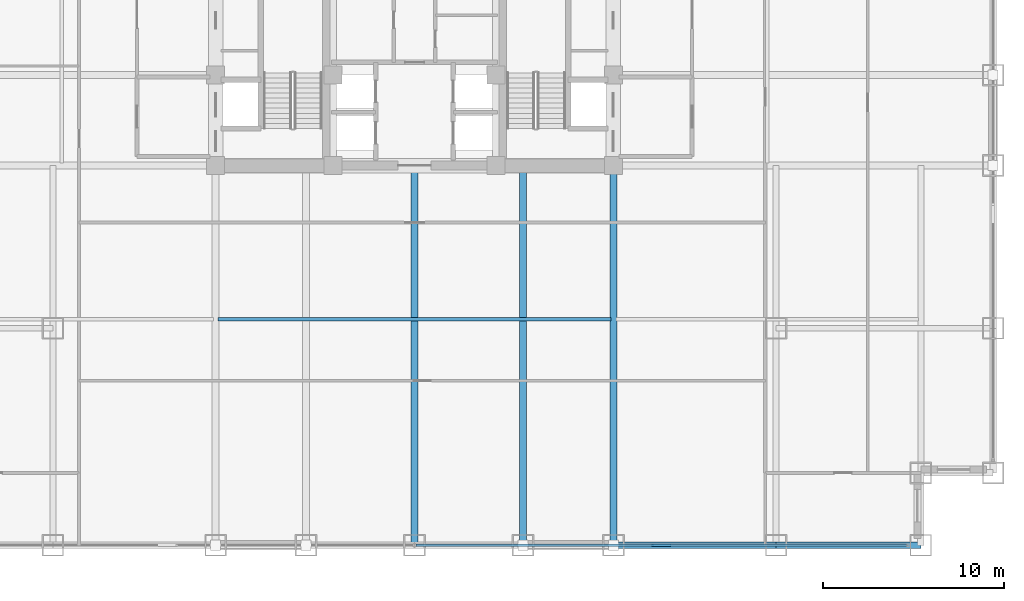
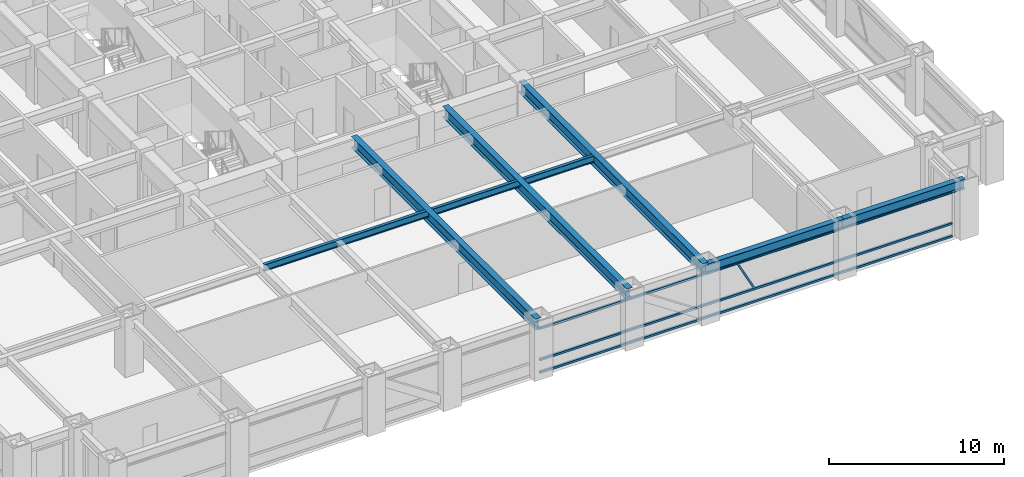
# One storey, part 5 of 28: 6 beams, 4 members, 1 element without a shape of its own.
"""IFC4 building model written with IfcOpenShell, lengths in metres."""

from ifc_helpers import new_model, si_unit, direction, frame, origin, origin_2d, place, context, subcontext, project, spatial, hollow_rectangle, i_section, extrude, source, transform, mapped, material, material_profile, profile_set, type_object, element, aggregate, save


model = new_model("IFC4")

# Units and contexts
model_context = context("Model", 3, precision=1e-05, world=origin(), true_north=direction((0.0, 1.0)))
body_context = subcontext(model_context, "Body", "Model", "MODEL_VIEW")
ifc_project = project(units=[si_unit("LENGTHUNIT", "METRE"), si_unit("AREAUNIT", "SQUARE_METRE"), si_unit("VOLUMEUNIT", "CUBIC_METRE"), si_unit("PLANEANGLEUNIT", "RADIAN"), si_unit("MASSUNIT", "GRAM", prefix="KILO")], contexts=[model_context])

# Site, building, storey
site_placement = place(None, origin())
site = spatial("IfcSite", under=ifc_project, at=site_placement, CompositionType="ELEMENT")
building_placement = place(site_placement, origin())
building = spatial("IfcBuilding", under=site, at=building_placement, Name="Khorayat Bourse Tower", CompositionType="ELEMENT")
storey_placement = place(building_placement, frame((0.0, 0.0, 124.199951171875)))
storey = spatial("IfcBuildingStorey", under=building, at=storey_placement, Name="L28", CompositionType="ELEMENT", Elevation=124.199951171875)

# Beams
ifc_material_1 = material(Name="Steel ASTM A992 Grade 50", Category="steel")
ifc_material_profile_1 = material_profile(ifc_material_1, i_section(OverallWidth=0.35498046875, OverallDepth=0.695068359375, WebThickness=0.015380859375, FlangeThickness=0.02490234375, FilletRadius=0.01806640625, at=origin_2d()), Name="W690X217")
ifc_profile_set_1 = profile_set([ifc_material_profile_1], Name="Steel ASTM A992 Grade 50")
beam_type_1 = type_object("IfcBeamType", Name="BM-SPAN-690", PredefinedType="SPANDREL", material=ifc_profile_set_1)
shared_shape_1 = source(origin(), body_context, "Body", "SweptSolid", [
    extrude(i_section(OverallWidth=0.35498046875, OverallDepth=0.695068359375, WebThickness=0.015380859375, FlangeThickness=0.02490234375, FilletRadius=0.01806640625, at=origin_2d()), origin(), (0.0, 0.0, 1.0), 9.0),
])
beam_1_placement = place(storey_placement, frame((11.0, -32.0, 3.492431640625), z_axis=(1.0, 0.0, 0.0), x_axis=(0.0, 1.0, 0.0)))
element("IfcBeam", 1, at=beam_1_placement, inside=storey, type_object=beam_type_1, Name="L28 BM-SPAN-690 BM-L28-SPN-030", PredefinedType="SPANDREL", context=body_context, shape_type="MappedRepresentation", body=[
    mapped(shared_shape_1, transform((0.0, 0.0, 0.0), scale=1.0)),
])
ifc_material_profile_2 = material_profile(ifc_material_1, i_section(OverallWidth=0.194091796875, OverallDepth=0.468994140625, WebThickness=0.0126953125, FlangeThickness=0.0205078125, FilletRadius=0.012939453125, at=origin_2d()), Name="W460X106")
ifc_profile_set_2 = profile_set([ifc_material_profile_2], Name="Steel ASTM A992 Grade 50")
beam_type_2 = type_object("IfcBeamType", Name="BM-JOIST-460", PredefinedType="JOIST", material=ifc_profile_set_2)
shared_shape_2 = source(origin(), body_context, "Body", "SweptSolid", [
    extrude(i_section(OverallWidth=0.194091796875, OverallDepth=0.468994140625, WebThickness=0.0126953125, FlangeThickness=0.0205078125, FilletRadius=0.012939453125, at=origin_2d()), origin(), (0.0, 0.0, 1.0), 21.740234375),
])
beam_2_placement = place(storey_placement, frame((-10.8701171875, -19.5, 3.60546875), z_axis=(1.0, 0.0, 0.0), x_axis=(0.0, 1.0, 0.0)))
element("IfcBeam", 2, at=beam_2_placement, inside=storey, type_object=beam_type_2, Name="L28 BM-JOIST-460 BM-L28-JSTX-097", PredefinedType="JOIST", context=body_context, shape_type="MappedRepresentation", body=[
    mapped(shared_shape_2, transform((0.0, 0.0, 0.0), scale=1.0)),
])
shared_shape_3 = source(origin(), body_context, "Body", "SweptSolid", [
    extrude(i_section(OverallWidth=0.35498046875, OverallDepth=0.695068359375, WebThickness=0.015380859375, FlangeThickness=0.02490234375, FilletRadius=0.01806640625, at=origin_2d()), origin(), (0.0, 0.0, 1.0), 8.0),
])
beam_3_placement = place(storey_placement, frame((20.0, -32.0, 3.492431640625), z_axis=(1.0, 0.0, 0.0), x_axis=(0.0, 1.0, 0.0)))
element("IfcBeam", 3, at=beam_3_placement, inside=storey, type_object=beam_type_1, Name="L28 BM-SPAN-690 BM-L28-SPN-031", PredefinedType="SPANDREL", context=body_context, shape_type="MappedRepresentation", body=[
    mapped(shared_shape_3, transform((0.0, 0.0, 0.0), scale=1.0)),
])
ifc_material_profile_3 = material_profile(ifc_material_1, i_section(OverallWidth=0.381103515625, OverallDepth=0.77294921875, WebThickness=0.0166015625, FlangeThickness=0.027587890625, FilletRadius=0.01806640625, at=origin_2d()), Name="W760X257")
ifc_profile_set_3 = profile_set([ifc_material_profile_3], Name="Steel ASTM A992 Grade 50")
beam_type_3 = type_object("IfcBeamType", Name="BM-GIRD-760", PredefinedType="BEAM", material=ifc_profile_set_3)
shared_shape_4 = source(origin(), body_context, "Body", "SweptSolid", [
    extrude(i_section(OverallWidth=0.381103515625, OverallDepth=0.77294921875, WebThickness=0.0166015625, FlangeThickness=0.027587890625, FilletRadius=0.01806640625, at=origin_2d()), origin(), (0.0, 0.0, 1.0), 21.0),
])
for number, where, z_axis, x_axis, name in (
    (4, (0.0, -32.0, 3.45361328125), (0.0, 1.0, 0.0), (-1.0, 0.0, 0.0), "L28 BM-GIRD-760 BM-L28-RADY-069"),
    (5, (6.0, -32.0, 3.45361328125), (0.0, 1.0, 0.0), (-1.0, 0.0, 0.0), "L28 BM-GIRD-760 BM-L28-RADY-071"),
    (6, (11.0, -32.0, 3.45361328125), (0.0, 1.0, 0.0), (-1.0, 0.0, 0.0), "L28 BM-GIRD-760 BM-L28-RADY-073"),
):
    element("IfcBeam", number, at=place(storey_placement, frame(where, z_axis=z_axis, x_axis=x_axis)), inside=storey, type_object=beam_type_3, Name=name, PredefinedType="BEAM", context=body_context, shape_type="MappedRepresentation", body=[
        mapped(shared_shape_4, transform((0.0, 0.0, 0.0), scale=1.0)),
    ])

# Curtain wall, members
ifc_material_2 = material(Name="Aluminium EN AW-6063 T6", Category="aluminium")
curtain_wall_type = type_object("IfcCurtainWallType", Name="CW-SYS-02", PredefinedType="NOTDEFINED", material=ifc_material_2)
curtain_wall_placement = place(storey_placement, origin())
curtain_wall = element("IfcCurtainWall", 7, at=curtain_wall_placement, inside=storey, type_object=curtain_wall_type, Name="L28 Curtain Wall CW-L28-S1", PredefinedType="NOTDEFINED")
ifc_material_profile_4 = material_profile(ifc_material_2, hollow_rectangle(XDim=0.139892578125, YDim=0.139892578125, WallThickness=0.006103515625, at=origin_2d()), Name="ALU 140x140x6")
ifc_profile_set_4 = profile_set([ifc_material_profile_4], Name="Aluminium EN AW-6063 T6")
member_type_1 = type_object("IfcMemberType", Name="CWT-HORZ-140", PredefinedType="USERDEFINED", material=ifc_profile_set_4)
shared_shape_5 = source(origin(), body_context, "Body", "SweptSolid", [
    extrude(hollow_rectangle(XDim=0.139892578125, YDim=0.139892578125, WallThickness=0.006103515625, at=origin_2d()), origin(), (0.0, 0.0, 1.0), 27.139892578125),
])
member_1_placement = place(storey_placement, frame((0.070068359375, -32.0, 0.070068359375), z_axis=(1.0, 0.0, 0.0), x_axis=(0.0, 1.0, 0.0)))
member_1 = element("IfcMember", 8, at=member_1_placement, type_object=member_type_1, Name="CW-L28-S1 Horizontal Transom 2-1", ObjectType="TRANSOM", PredefinedType="USERDEFINED", context=body_context, shape_type="MappedRepresentation", body=[
    mapped(shared_shape_5, transform((0.0, 0.0, 0.0), scale=1.0)),
])
member_2_placement = place(storey_placement, frame((0.070068359375, -32.0, 0.949951171875), z_axis=(1.0, 0.0, 0.0), x_axis=(0.0, 1.0, 0.0)))
member_2 = element("IfcMember", 9, at=member_2_placement, type_object=member_type_1, Name="CW-L28-S1 Horizontal Transom 2-2", ObjectType="TRANSOM", PredefinedType="USERDEFINED", context=body_context, shape_type="MappedRepresentation", body=[
    mapped(shared_shape_5, transform((0.0, 0.0, 0.0), scale=1.0)),
])
member_3_placement = place(storey_placement, frame((0.070068359375, -32.0, 3.1201171875), z_axis=(1.0, 0.0, 0.0), x_axis=(0.0, 1.0, 0.0)))
member_3 = element("IfcMember", 10, at=member_3_placement, type_object=member_type_1, Name="CW-L28-S1 Horizontal Transom 2-3", ObjectType="TRANSOM", PredefinedType="USERDEFINED", context=body_context, shape_type="MappedRepresentation", body=[
    mapped(shared_shape_5, transform((0.0, 0.0, 0.0), scale=1.0)),
])
ifc_material_profile_5 = material_profile(ifc_material_2, hollow_rectangle(XDim=0.1201171875, YDim=0.1201171875, WallThickness=0.0048828125, at=origin_2d()), Name="ALU 120x120x5")
ifc_profile_set_5 = profile_set([ifc_material_profile_5], Name="Aluminium EN AW-6063 T6")
member_type_2 = type_object("IfcMemberType", Name="CWM-DIAG-120", PredefinedType="MULLION", material=ifc_profile_set_5)
shared_shape_6 = source(origin(), body_context, "Body", "SweptSolid", [
    extrude(hollow_rectangle(XDim=0.1201171875, YDim=0.1201171875, WallThickness=0.0048828125, at=origin_2d()), origin(), (0.0, 0.0, 1.0), 2.113037109375),
])
member_4_placement = place(storey_placement, frame((14.132080078125, -32.0, 1.10009765625), z_axis=(-0.465741670874, 0.0, 0.884920728659), x_axis=(0.0, -1.0, 0.0)))
member_4 = element("IfcMember", 11, at=member_4_placement, type_object=member_type_2, Name="CW-L28-S1 Faceted Diagonal Mullion 2", PredefinedType="MULLION", context=body_context, shape_type="MappedRepresentation", body=[
    mapped(shared_shape_6, transform((0.0, 0.0, 0.0), scale=1.0)),
])
aggregate(curtain_wall, [member_1, member_2, member_3, member_4])

save(model, "model.ifc")
